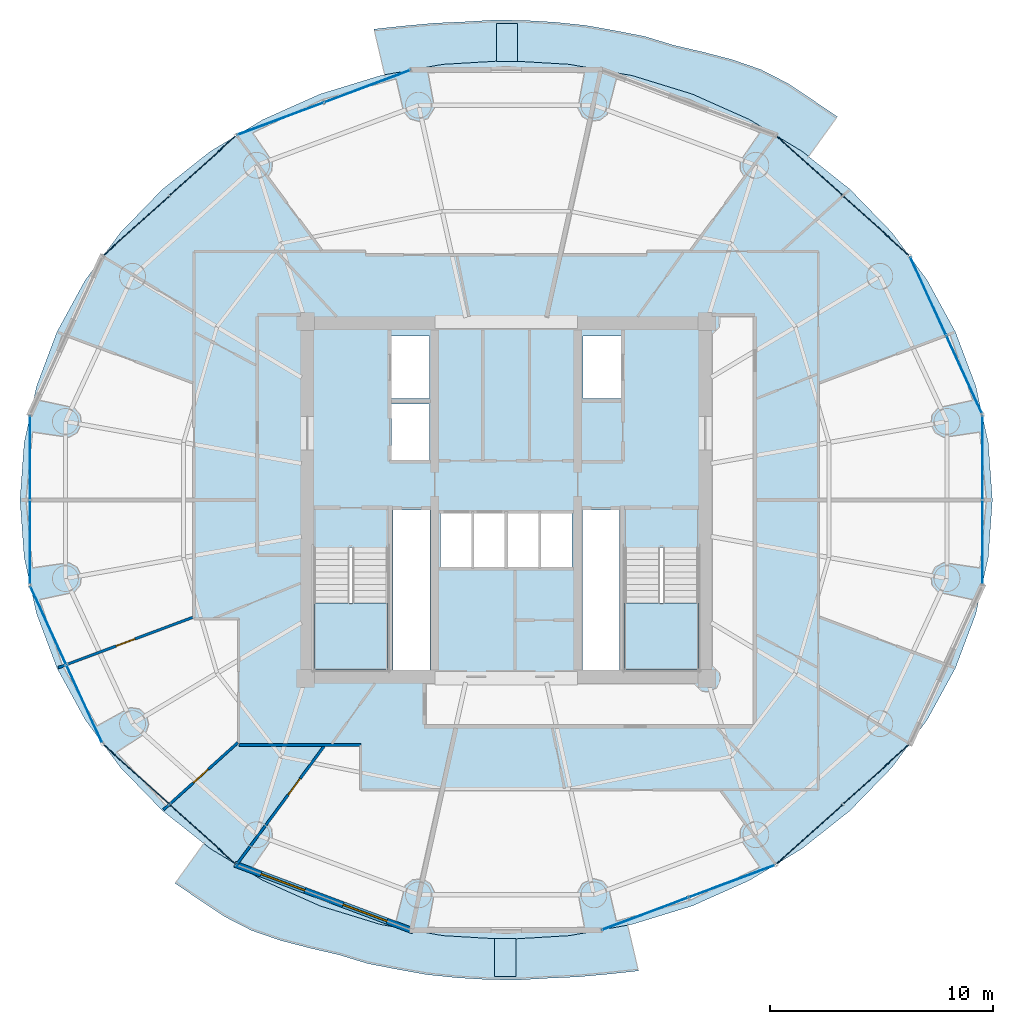
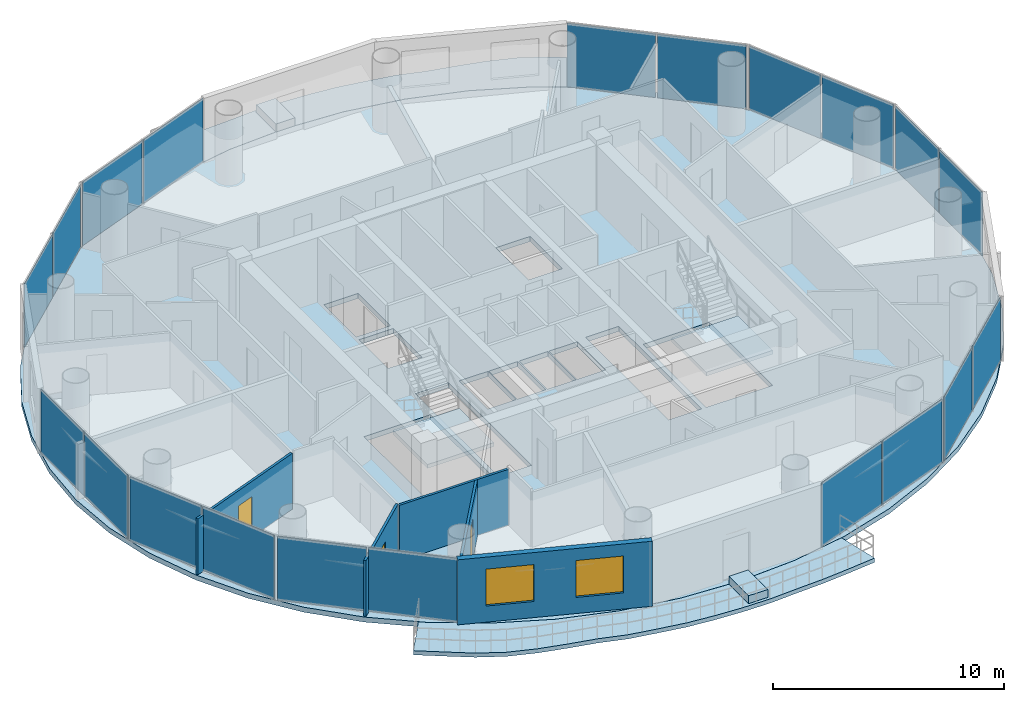
# One storey, part 19 of 26: 20 plates, 7 slabs, 5 walls, 3 doors, 2 windows, 5 openings, 12 elements without a shape of their own.
"""IFC4 building model written with IfcOpenShell, lengths in metres."""

from ifc_helpers import new_model, si_unit, direction, frame, frame_2d, origin, origin_2d, place, context, subcontext, project, spatial, polyline, rectangle, outline, extrude, source, transform, mapped, material, layer, layer_set, type_object, element, fill, aggregate, save


model = new_model("IFC4")

# Units and contexts
model_context = context("Model", 3, precision=1e-05, world=origin(), true_north=direction((-0.2419218956, 0.970295726276)))
body_context = subcontext(model_context, "Body", "Model", "MODEL_VIEW")
ifc_project = project(units=[si_unit("LENGTHUNIT", "METRE"), si_unit("AREAUNIT", "SQUARE_METRE"), si_unit("VOLUMEUNIT", "CUBIC_METRE"), si_unit("PLANEANGLEUNIT", "RADIAN"), si_unit("MASSUNIT", "GRAM", prefix="KILO")], contexts=[model_context])

# Site, building, storey
site_placement = place(None, origin())
site = spatial("IfcSite", under=ifc_project, at=site_placement, CompositionType="ELEMENT")
building_placement = place(site_placement, origin())
building = spatial("IfcBuilding", under=site, at=building_placement, Name="Cobrevalo Terracotta Tower", CompositionType="ELEMENT")
storey_placement = place(building_placement, frame((0.0, 0.0, 213.39990234375)))
storey = spatial("IfcBuildingStorey", under=building, at=storey_placement, Name="L56", CompositionType="ELEMENT", Elevation=213.39990234375)

# Stair, slab
ifc_material_1 = material(Name="Concrete C50", Category="concrete")
stair_type = type_object("IfcStairType", Name="Core protected escape dogleg stair 1600", PredefinedType="HALF_TURN_STAIR", material=ifc_material_1)
stair_1_placement = place(storey_placement, origin())
stair_1 = element("IfcStair", 1, at=stair_1_placement, inside=storey, type_object=stair_type, Name="L56 Protected exit stair ST-1", PredefinedType="HALF_TURN_STAIR")
ifc_layer_1 = layer(ifc_material_1, 0.199951171875)
ifc_layer_set_1 = layer_set([ifc_layer_1], Name="Concrete C50")
slab_type_1 = type_object("IfcSlabType", Name="Reinforced Concrete Stair Landing 200", PredefinedType="LANDING", material=ifc_layer_set_1)
slab_1_placement = place(storey_placement, frame((0.0, 0.0, 1.650146484375)))
slab_1 = element("IfcSlab", 2, at=slab_1_placement, type_object=slab_type_1, Name="ST-1 landing 1", PredefinedType="LANDING", context=body_context, shape_type="SweptSolid", body=[
    extrude(outline(polyline([(29.375, 22.179931640625), (29.375, 19.175048828125), (32.695068359375, 19.175048828125), (32.695068359375, 22.179931640625), (29.375, 22.179931640625)])), origin(), (0.0, 0.0, 1.0), 0.199951171875),
])
aggregate(stair_1, [slab_1])

stair_2_placement = place(storey_placement, origin())
stair_2 = element("IfcStair", 3, at=stair_2_placement, inside=storey, type_object=stair_type, Name="L56 Protected exit stair ST-2", PredefinedType="HALF_TURN_STAIR")
slab_2_placement = place(storey_placement, frame((0.0, 0.0, 1.650146484375)))
slab_2 = element("IfcSlab", 4, at=slab_2_placement, type_object=slab_type_1, Name="ST-2 landing 1", PredefinedType="LANDING", context=body_context, shape_type="SweptSolid", body=[
    extrude(outline(polyline([(43.304931640625, 22.179931640625), (43.304931640625, 19.175048828125), (46.625, 19.175048828125), (46.625, 22.179931640625), (43.304931640625, 22.179931640625)])), origin(), (0.0, 0.0, 1.0), 0.199951171875),
])
aggregate(stair_2, [slab_2])

# Slabs
ifc_material_2 = material(Name="Concrete C45", Category="concrete")
ifc_layer_2 = layer(ifc_material_2, 0.219970703125)
ifc_layer_set_2 = layer_set([ifc_layer_2], Name="Concrete C45")
slab_type_2 = type_object("IfcSlabType", Name="Spiralling cantilevered balcony lobe slab 220 mm", PredefinedType="FLOOR", material=ifc_layer_set_2)
slab_3_placement = place(storey_placement, frame((0.0, 0.0, -0.219970703125)))
element("IfcSlab", 5, at=slab_3_placement, inside=storey, type_object=slab_type_2, Name="L56 spiralling arc balcony slab lobe 1", PredefinedType="FLOOR", context=body_context, shape_type="SweptSolid", body=[
    extrude(outline(polyline([(52.85107421875, 43.98388671875), (51.7412109375, 44.7353515625), (50.618408203125, 45.484130859375), (49.416015625, 46.1015625), (48.128173828125, 46.546875), (46.814453125, 46.888427734375), (45.494873046875, 47.195556640625), (44.207275390625, 47.587646484375), (42.880615234375, 47.84521484375), (41.549072265625, 48.0830078125), (40.203369140625, 48.22216796875), (38.849609375, 48.30224609375), (37.495849609375, 48.322021484375), (36.14208984375, 48.2431640625), (34.785888671875, 48.1826171875), (33.431884765625, 48.059326171875), (32.06982421875, 47.913818359375), (32.54833984375, 45.864990234375), (35.154296875, 46.33349609375), (38.0, 46.501953125), (40.845703125, 46.33349609375), (43.642822265625, 45.83056640625), (46.34326171875, 45.002197265625), (48.90087890625, 43.862548828125), (51.272216796875, 42.4306640625), (51.56591796875, 42.19775390625), (52.85107421875, 43.98388671875)])), origin(), (0.0, 0.0, 1.0), 0.219970703125),
])
slab_4_placement = place(storey_placement, frame((0.0, 0.0, -0.219970703125)))
element("IfcSlab", 6, at=slab_4_placement, inside=storey, type_object=slab_type_2, Name="L56 spiralling arc balcony slab lobe 2", PredefinedType="FLOOR", context=body_context, shape_type="SweptSolid", body=[
    extrude(outline(polyline([(23.14892578125, 9.6162109375), (24.2587890625, 8.86474609375), (25.381591796875, 8.11572265625), (26.583984375, 7.49853515625), (27.871826171875, 7.05322265625), (29.185546875, 6.711669921875), (30.505126953125, 6.404541015625), (31.792724609375, 6.012451171875), (33.119384765625, 5.7548828125), (34.450927734375, 5.516845703125), (35.796630859375, 5.3779296875), (37.150390625, 5.297607421875), (38.504150390625, 5.278076171875), (39.85791015625, 5.35693359375), (41.214111328125, 5.417236328125), (42.568115234375, 5.540771484375), (43.93017578125, 5.68603515625), (43.45166015625, 7.735107421875), (40.845703125, 7.2666015625), (38.0, 7.097900390625), (35.154296875, 7.2666015625), (32.357177734375, 7.769287109375), (29.65673828125, 8.59765625), (27.09912109375, 9.737548828125), (24.727783203125, 11.16943359375), (24.43408203125, 11.402099609375), (23.14892578125, 9.6162109375)])), origin(), (0.0, 0.0, 1.0), 0.219970703125),
])
ifc_material_3 = material(Name="Precast concrete C45", Category="concrete")
ifc_layer_3 = layer(ifc_material_3, 0.419921875)
ifc_layer_set_3 = layer_set([ifc_layer_3], Name="Precast concrete C45")
slab_type_3 = type_object("IfcSlabType", Name="Structural tree planter trough base 420 mm", PredefinedType="USERDEFINED", material=ifc_layer_set_3)
slab_5_placement = place(storey_placement, origin())
element("IfcSlab", 7, at=slab_5_placement, inside=storey, type_object=slab_type_3, Name="L56 structural tree planter trough 1", ObjectType="PLANTER", PredefinedType="USERDEFINED", context=body_context, shape_type="SweptSolid", body=[
    extrude(outline(polyline([(38.5146484375, 46.46923828125), (38.51708984375, 48.169189453125), (37.55712890625, 48.170654296875), (37.5546875, 46.470703125), (38.5146484375, 46.46923828125)])), origin(), (0.0, 0.0, 1.0), 0.420166015625),
])
slab_6_placement = place(storey_placement, origin())
element("IfcSlab", 8, at=slab_6_placement, inside=storey, type_object=slab_type_3, Name="L56 structural tree planter trough 2", ObjectType="PLANTER", PredefinedType="USERDEFINED", context=body_context, shape_type="SweptSolid", body=[
    extrude(outline(polyline([(37.4853515625, 7.130615234375), (37.48291015625, 5.4306640625), (38.44287109375, 5.429443359375), (38.4453125, 7.12939453125), (37.4853515625, 7.130615234375)])), origin(), (0.0, 0.0, 1.0), 0.420166015625),
])
ifc_layer_4 = layer(ifc_material_2, 0.264892578125)
ifc_layer_set_4 = layer_set([ifc_layer_4], Name="Concrete C45")
slab_type_4 = type_object("IfcSlabType", Name="Zone Z4 elliptical floor plate 265 mm", PredefinedType="FLOOR", material=ifc_layer_set_4)
slab_7_placement = place(storey_placement, frame((0.0, 0.0, -0.264892578125)))
element("IfcSlab", 9, at=slab_7_placement, inside=storey, type_object=slab_type_4, Name="L56 indoor elliptical floor slab", PredefinedType="FLOOR", context=body_context, shape_type="SweptSolid", body=[
    extrude(outline(polyline([(59.613525390625, 24.228515625), (59.05712890625, 21.701171875), (58.140625, 19.26123046875), (56.87939453125, 16.949951171875), (55.295166015625, 14.807373046875), (53.4150390625, 12.8701171875), (51.27099609375, 11.1708984375), (48.89990234375, 9.7392578125), (46.342529296875, 8.599609375), (43.642333984375, 7.771240234375), (40.845458984375, 7.2685546875), (38.0, 7.10009765625), (35.154541015625, 7.2685546875), (32.357666015625, 7.771240234375), (29.657470703125, 8.599609375), (27.10009765625, 9.7392578125), (24.72900390625, 11.1708984375), (22.5849609375, 12.8701171875), (20.704833984375, 14.807373046875), (19.12060546875, 16.949951171875), (17.859375, 19.26123046875), (16.94287109375, 21.701171875), (16.386474609375, 24.228515625), (16.199951171875, 26.800048828125), (16.386474609375, 29.371337890625), (16.94287109375, 31.898681640625), (17.859375, 34.3388671875), (19.12060546875, 36.64990234375), (20.704833984375, 38.79248046875), (22.5849609375, 40.72998046875), (24.72900390625, 42.428955078125), (27.10009765625, 43.860595703125), (29.657470703125, 45.00048828125), (32.357666015625, 45.828857421875), (35.154541015625, 46.33154296875), (38.0, 46.5), (40.845458984375, 46.33154296875), (43.642333984375, 45.828857421875), (46.342529296875, 45.00048828125), (48.89990234375, 43.860595703125), (51.27099609375, 42.428955078125), (53.4150390625, 40.72998046875), (55.295166015625, 38.79248046875), (56.87939453125, 36.64990234375), (58.140625, 34.3388671875), (59.05712890625, 31.898681640625), (59.613525390625, 29.371337890625), (59.800048828125, 26.800048828125), (59.613525390625, 24.228515625)]), holes=[polyline([(32.695068359375, 19.175048828125), (32.695068359375, 24.659912109375), (29.375, 24.659912109375), (29.375, 19.175048828125), (32.695068359375, 19.175048828125)]), polyline([(34.574951171875, 26.360107421875), (32.919921875, 26.360107421875), (32.919921875, 19.175048828125), (34.574951171875, 19.175048828125), (34.574951171875, 26.360107421875)]), polyline([(36.47998046875, 26.25), (35.050048828125, 26.25), (35.050048828125, 23.800048828125), (36.47998046875, 23.800048828125), (36.47998046875, 26.25)]), polyline([(37.9599609375, 23.800048828125), (37.9599609375, 26.25), (36.530029296875, 26.25), (36.530029296875, 23.800048828125), (37.9599609375, 23.800048828125)]), polyline([(34.550048828125, 28.60009765625), (34.550048828125, 31.10009765625), (32.85009765625, 31.10009765625), (32.85009765625, 28.60009765625), (34.550048828125, 28.60009765625)]), polyline([(34.550048828125, 34.14990234375), (32.85009765625, 34.14990234375), (32.85009765625, 31.35009765625), (34.550048828125, 31.35009765625), (34.550048828125, 34.14990234375)]), polyline([(43.304931640625, 19.175048828125), (46.625, 19.175048828125), (46.625, 24.659912109375), (43.304931640625, 24.659912109375), (43.304931640625, 19.175048828125)]), polyline([(43.080078125, 19.175048828125), (43.080078125, 26.360107421875), (41.425048828125, 26.360107421875), (41.425048828125, 19.175048828125), (43.080078125, 19.175048828125)]), polyline([(39.469970703125, 26.25), (38.0400390625, 26.25), (38.0400390625, 23.800048828125), (39.469970703125, 23.800048828125), (39.469970703125, 26.25)]), polyline([(40.949951171875, 23.800048828125), (40.949951171875, 26.25), (39.52001953125, 26.25), (39.52001953125, 23.800048828125), (40.949951171875, 23.800048828125)]), polyline([(43.14990234375, 31.35009765625), (43.14990234375, 34.14990234375), (41.449951171875, 34.14990234375), (41.449951171875, 31.35009765625), (43.14990234375, 31.35009765625)])]), origin(), (0.0, 0.0, 1.0), 0.264892578125),
])

# Curtain wall, plates
ifc_material_4 = material(Name="Anodized aluminium", Category="aluminium")
curtain_wall_type = type_object("IfcCurtainWallType", Name="Mid-tower high-wind unitised curtain wall CW-U2", PredefinedType="NOTDEFINED", material=ifc_material_4)
curtain_wall_1_placement = place(storey_placement, origin())
curtain_wall_1 = element("IfcCurtainWall", 10, at=curtain_wall_1_placement, inside=storey, type_object=curtain_wall_type, Name="L56 curtain wall CW-L56-S02", PredefinedType="NOTDEFINED")
ifc_material_5 = material(Name="Solar-control low-E double glazing", Category="glass")
ifc_layer_5 = layer(ifc_material_5, 0.028076171875)
ifc_layer_set_5 = layer_set([ifc_layer_5], Name="Solar-control low-E double glazing")
plate_type = type_object("IfcPlateType", Name="Tower solar-control low-E vision glass panel 28 mm", PredefinedType="CURTAIN_PANEL", material=ifc_layer_set_5)
shared_shape_1 = source(origin(), body_context, "Body", "SweptSolid", [
    extrude(rectangle(XDim=3.927490234375, YDim=0.035888671875, at=origin_2d()), origin(), (0.0, 0.0, 1.0), 3.35498046875),
])
plate_1_placement = place(storey_placement, frame((54.584716796875, 39.09814453125, 0.0400390625), z_axis=(0.0, 0.0, 1.0), x_axis=(-0.741987542015, 0.670413668935, 0.0)))
plate_1 = element("IfcPlate", 11, at=plate_1_placement, type_object=plate_type, Name="CW-L56-S02 glazing panel B01", PredefinedType="CURTAIN_PANEL", context=body_context, shape_type="MappedRepresentation", body=[
    mapped(shared_shape_1, transform((0.0, 0.0, 0.0), scale=1.0)),
])
plate_2_placement = place(storey_placement, frame((51.611083984375, 41.784912109375, 0.0400390625), z_axis=(0.0, 0.0, 1.0), x_axis=(-0.741987542015, 0.670413668935, 0.0)))
plate_2 = element("IfcPlate", 12, at=plate_2_placement, type_object=plate_type, Name="CW-L56-S02 glazing panel B02", PredefinedType="CURTAIN_PANEL", context=body_context, shape_type="MappedRepresentation", body=[
    mapped(shared_shape_1, transform((0.0, 0.0, 0.0), scale=1.0)),
])
aggregate(curtain_wall_1, [plate_1, plate_2])

curtain_wall_2_placement = place(storey_placement, origin())
curtain_wall_2 = element("IfcCurtainWall", 13, at=curtain_wall_2_placement, inside=storey, type_object=curtain_wall_type, Name="L56 curtain wall CW-L56-S06", PredefinedType="NOTDEFINED")
plate_3_placement = place(storey_placement, frame((24.388916015625, 41.784912109375, 0.0400390625), z_axis=(0.0, 0.0, 1.0), x_axis=(-0.741987542015, -0.670413668935, 0.0)))
plate_3 = element("IfcPlate", 14, at=plate_3_placement, type_object=plate_type, Name="CW-L56-S06 glazing panel B01", PredefinedType="CURTAIN_PANEL", context=body_context, shape_type="MappedRepresentation", body=[
    mapped(shared_shape_1, transform((0.0, 0.0, 0.0), scale=1.0)),
])
plate_4_placement = place(storey_placement, frame((21.415283203125, 39.09814453125, 0.0400390625), z_axis=(0.0, 0.0, 1.0), x_axis=(-0.741987542015, -0.670413668935, 0.0)))
plate_4 = element("IfcPlate", 15, at=plate_4_placement, type_object=plate_type, Name="CW-L56-S06 glazing panel B02", PredefinedType="CURTAIN_PANEL", context=body_context, shape_type="MappedRepresentation", body=[
    mapped(shared_shape_1, transform((0.0, 0.0, 0.0), scale=1.0)),
])
aggregate(curtain_wall_2, [plate_3, plate_4])

curtain_wall_3_placement = place(storey_placement, origin())
curtain_wall_3 = element("IfcCurtainWall", 16, at=curtain_wall_3_placement, inside=storey, type_object=curtain_wall_type, Name="L56 curtain wall CW-L56-S10", PredefinedType="NOTDEFINED")
plate_5_placement = place(storey_placement, frame((21.415283203125, 14.501708984375, 0.0400390625), z_axis=(0.0, 0.0, 1.0), x_axis=(0.741987542015, -0.670413668935, 0.0)))
plate_5 = element("IfcPlate", 17, at=plate_5_placement, type_object=plate_type, Name="CW-L56-S10 glazing panel B01", PredefinedType="CURTAIN_PANEL", context=body_context, shape_type="MappedRepresentation", body=[
    mapped(shared_shape_1, transform((0.0, 0.0, 0.0), scale=1.0)),
])
plate_6_placement = place(storey_placement, frame((24.388916015625, 11.815185546875, 0.0400390625), z_axis=(0.0, 0.0, 1.0), x_axis=(0.741987542015, -0.670413668935, 0.0)))
plate_6 = element("IfcPlate", 18, at=plate_6_placement, type_object=plate_type, Name="CW-L56-S10 glazing panel B02", PredefinedType="CURTAIN_PANEL", context=body_context, shape_type="MappedRepresentation", body=[
    mapped(shared_shape_1, transform((0.0, 0.0, 0.0), scale=1.0)),
])
aggregate(curtain_wall_3, [plate_5, plate_6])

curtain_wall_4_placement = place(storey_placement, origin())
curtain_wall_4 = element("IfcCurtainWall", 19, at=curtain_wall_4_placement, inside=storey, type_object=curtain_wall_type, Name="L56 curtain wall CW-L56-S14", PredefinedType="NOTDEFINED")
plate_7_placement = place(storey_placement, frame((51.611083984375, 11.815185546875, 0.0400390625), z_axis=(0.0, 0.0, 1.0), x_axis=(0.741987542015, 0.670413668935, 0.0)))
plate_7 = element("IfcPlate", 20, at=plate_7_placement, type_object=plate_type, Name="CW-L56-S14 glazing panel B01", PredefinedType="CURTAIN_PANEL", context=body_context, shape_type="MappedRepresentation", body=[
    mapped(shared_shape_1, transform((0.0, 0.0, 0.0), scale=1.0)),
])
plate_8_placement = place(storey_placement, frame((54.584716796875, 14.501708984375, 0.0400390625), z_axis=(0.0, 0.0, 1.0), x_axis=(0.741987542015, 0.670413668935, 0.0)))
plate_8 = element("IfcPlate", 21, at=plate_8_placement, type_object=plate_type, Name="CW-L56-S14 glazing panel B02", PredefinedType="CURTAIN_PANEL", context=body_context, shape_type="MappedRepresentation", body=[
    mapped(shared_shape_1, transform((0.0, 0.0, 0.0), scale=1.0)),
])
aggregate(curtain_wall_4, [plate_7, plate_8])

curtain_wall_5_placement = place(storey_placement, origin())
curtain_wall_5 = element("IfcCurtainWall", 22, at=curtain_wall_5_placement, inside=storey, type_object=curtain_wall_type, Name="L56 curtain wall CW-L56-S01", PredefinedType="NOTDEFINED")
shared_shape_2 = source(origin(), body_context, "Body", "SweptSolid", [
    extrude(rectangle(XDim=3.780029296875, YDim=0.035888671875, at=origin_2d()), origin(), (0.0, 0.0, 1.0), 3.35498046875),
])
plate_9_placement = place(storey_placement, frame((58.53076171875, 32.42822265625, 0.0400390625), z_axis=(0.0, 0.0, 1.0), x_axis=(-0.416731425355, 0.909029657999, 0.0)))
plate_9 = element("IfcPlate", 23, at=plate_9_placement, type_object=plate_type, Name="CW-L56-S01 glazing panel B01", PredefinedType="CURTAIN_PANEL", context=body_context, shape_type="MappedRepresentation", body=[
    mapped(shared_shape_2, transform((0.0, 0.0, 0.0), scale=1.0)),
])
plate_10_placement = place(storey_placement, frame((56.922119140625, 35.937255859375, 0.0400390625), z_axis=(0.0, 0.0, 1.0), x_axis=(-0.416731425355, 0.909029657999, 0.0)))
plate_10 = element("IfcPlate", 24, at=plate_10_placement, type_object=plate_type, Name="CW-L56-S01 glazing panel B02", PredefinedType="CURTAIN_PANEL", context=body_context, shape_type="MappedRepresentation", body=[
    mapped(shared_shape_2, transform((0.0, 0.0, 0.0), scale=1.0)),
])
aggregate(curtain_wall_5, [plate_9, plate_10])

curtain_wall_6_placement = place(storey_placement, origin())
curtain_wall_6 = element("IfcCurtainWall", 25, at=curtain_wall_6_placement, inside=storey, type_object=curtain_wall_type, Name="L56 curtain wall CW-L56-S09", PredefinedType="NOTDEFINED")
plate_11_placement = place(storey_placement, frame((17.46923828125, 21.171630859375, 0.0400390625), z_axis=(0.0, 0.0, 1.0), x_axis=(0.416731425355, -0.909029657999, 0.0)))
plate_11 = element("IfcPlate", 26, at=plate_11_placement, type_object=plate_type, Name="CW-L56-S09 glazing panel B01", PredefinedType="CURTAIN_PANEL", context=body_context, shape_type="MappedRepresentation", body=[
    mapped(shared_shape_2, transform((0.0, 0.0, 0.0), scale=1.0)),
])
plate_12_placement = place(storey_placement, frame((19.077880859375, 17.662841796875, 0.0400390625), z_axis=(0.0, 0.0, 1.0), x_axis=(0.416731425355, -0.909029657999, 0.0)))
plate_12 = element("IfcPlate", 27, at=plate_12_placement, type_object=plate_type, Name="CW-L56-S09 glazing panel B02", PredefinedType="CURTAIN_PANEL", context=body_context, shape_type="MappedRepresentation", body=[
    mapped(shared_shape_2, transform((0.0, 0.0, 0.0), scale=1.0)),
])
aggregate(curtain_wall_6, [plate_11, plate_12])

curtain_wall_7_placement = place(storey_placement, origin())
curtain_wall_7 = element("IfcCurtainWall", 28, at=curtain_wall_7_placement, inside=storey, type_object=curtain_wall_type, Name="L56 curtain wall CW-L56-S08", PredefinedType="NOTDEFINED")
shared_shape_3 = source(origin(), body_context, "Body", "SweptSolid", [
    extrude(rectangle(XDim=3.71728515625, YDim=0.035888671875, at=origin_2d()), origin(), (0.0, 0.0, 1.0), 3.35498046875),
])
plate_13_placement = place(storey_placement, frame((16.648193359375, 28.69873046875, 0.0400390625), z_axis=(0.0, 0.0, 1.0), x_axis=(0.0, -1.0, 0.0)))
plate_13 = element("IfcPlate", 29, at=plate_13_placement, type_object=plate_type, Name="CW-L56-S08 glazing panel B01", PredefinedType="CURTAIN_PANEL", context=body_context, shape_type="MappedRepresentation", body=[
    mapped(shared_shape_3, transform((0.0, 0.0, 0.0), scale=1.0)),
])
plate_14_placement = place(storey_placement, frame((16.648193359375, 24.9013671875, 0.0400390625), z_axis=(0.0, 0.0, 1.0), x_axis=(0.0, -1.0, 0.0)))
plate_14 = element("IfcPlate", 30, at=plate_14_placement, type_object=plate_type, Name="CW-L56-S08 glazing panel B02", PredefinedType="CURTAIN_PANEL", context=body_context, shape_type="MappedRepresentation", body=[
    mapped(shared_shape_3, transform((0.0, 0.0, 0.0), scale=1.0)),
])
aggregate(curtain_wall_7, [plate_13, plate_14])

curtain_wall_8_placement = place(storey_placement, origin())
curtain_wall_8 = element("IfcCurtainWall", 31, at=curtain_wall_8_placement, inside=storey, type_object=curtain_wall_type, Name="L56 curtain wall CW-L56-S16", PredefinedType="NOTDEFINED")
plate_15_placement = place(storey_placement, frame((59.351806640625, 24.9013671875, 0.0400390625), z_axis=(0.0, 0.0, 1.0), x_axis=(0.0, 1.0, 0.0)))
plate_15 = element("IfcPlate", 32, at=plate_15_placement, type_object=plate_type, Name="CW-L56-S16 glazing panel B01", PredefinedType="CURTAIN_PANEL", context=body_context, shape_type="MappedRepresentation", body=[
    mapped(shared_shape_3, transform((0.0, 0.0, 0.0), scale=1.0)),
])
plate_16_placement = place(storey_placement, frame((59.351806640625, 28.69873046875, 0.0400390625), z_axis=(0.0, 0.0, 1.0), x_axis=(0.0, 1.0, 0.0)))
plate_16 = element("IfcPlate", 33, at=plate_16_placement, type_object=plate_type, Name="CW-L56-S16 glazing panel B02", PredefinedType="CURTAIN_PANEL", context=body_context, shape_type="MappedRepresentation", body=[
    mapped(shared_shape_3, transform((0.0, 0.0, 0.0), scale=1.0)),
])
aggregate(curtain_wall_8, [plate_15, plate_16])

curtain_wall_9_placement = place(storey_placement, origin())
curtain_wall_9 = element("IfcCurtainWall", 34, at=curtain_wall_9_placement, inside=storey, type_object=curtain_wall_type, Name="L56 curtain wall CW-L56-S05", PredefinedType="NOTDEFINED")
shared_shape_4 = source(origin(), body_context, "Body", "SweptSolid", [
    extrude(rectangle(XDim=4.069580078125, YDim=0.035888671875, at=origin_2d()), origin(), (0.0, 0.0, 1.0), 3.35498046875),
])
plate_17_placement = place(storey_placement, frame((31.772216796875, 45.350830078125, 0.0400390625), z_axis=(0.0, 0.0, 1.0), x_axis=(-0.936557839879, -0.350513070458, 0.0)))
plate_17 = element("IfcPlate", 35, at=plate_17_placement, type_object=plate_type, Name="CW-L56-S05 glazing panel B01", PredefinedType="CURTAIN_PANEL", context=body_context, shape_type="MappedRepresentation", body=[
    mapped(shared_shape_4, transform((0.0, 0.0, 0.0), scale=1.0)),
])
plate_18_placement = place(storey_placement, frame((27.885986328125, 43.896240234375, 0.0400390625), z_axis=(0.0, 0.0, 1.0), x_axis=(-0.936557839879, -0.350513070458, 0.0)))
plate_18 = element("IfcPlate", 36, at=plate_18_placement, type_object=plate_type, Name="CW-L56-S05 glazing panel B02", PredefinedType="CURTAIN_PANEL", context=body_context, shape_type="MappedRepresentation", body=[
    mapped(shared_shape_4, transform((0.0, 0.0, 0.0), scale=1.0)),
])
aggregate(curtain_wall_9, [plate_17, plate_18])

curtain_wall_10_placement = place(storey_placement, origin())
curtain_wall_10 = element("IfcCurtainWall", 37, at=curtain_wall_10_placement, inside=storey, type_object=curtain_wall_type, Name="L56 curtain wall CW-L56-S13", PredefinedType="NOTDEFINED")
plate_19_placement = place(storey_placement, frame((44.227783203125, 8.249267578125, 0.0400390625), z_axis=(0.0, 0.0, 1.0), x_axis=(0.936557839879, 0.350513070458, 0.0)))
plate_19 = element("IfcPlate", 38, at=plate_19_placement, type_object=plate_type, Name="CW-L56-S13 glazing panel B01", PredefinedType="CURTAIN_PANEL", context=body_context, shape_type="MappedRepresentation", body=[
    mapped(shared_shape_4, transform((0.0, 0.0, 0.0), scale=1.0)),
])
plate_20_placement = place(storey_placement, frame((48.114013671875, 9.70361328125, 0.0400390625), z_axis=(0.0, 0.0, 1.0), x_axis=(0.936557839879, 0.350513070458, 0.0)))
plate_20 = element("IfcPlate", 39, at=plate_20_placement, type_object=plate_type, Name="CW-L56-S13 glazing panel B02", PredefinedType="CURTAIN_PANEL", context=body_context, shape_type="MappedRepresentation", body=[
    mapped(shared_shape_4, transform((0.0, 0.0, 0.0), scale=1.0)),
])
aggregate(curtain_wall_10, [plate_19, plate_20])

# Wall, openings, windows
ifc_material_6 = material(Name="Autoclaved aerated concrete block", Category="concrete")
ifc_layer_6 = layer(ifc_material_6, 0.280029296875)
ifc_layer_set_6 = layer_set([ifc_layer_6], Name="Autoclaved aerated concrete block")
wall_type_1 = type_object("IfcWallType", Name="Insulated tower spandrel & pier wall 280 mm with terracotta rainscreen", PredefinedType="SOLIDWALL", material=ifc_layer_set_6)
wall_1_placement = place(storey_placement, frame((25.830322265625, 10.47314453125, 0.0), z_axis=(0.0, 0.0, 1.0), x_axis=(0.936556918375, -0.350515532672, 0.0)))
wall_1 = element("IfcWall", 40, at=wall_1_placement, inside=storey, type_object=wall_type_1, Name="L56 terracotta rainscreen pier wall S11", PredefinedType="SOLIDWALL", context=body_context, shape_type="SweptSolid", body=[
    extrude(rectangle(XDim=8.539306640625, YDim=0.280029296875, at=frame_2d((4.26953125, 0.0))), origin(), (0.0, 0.0, 1.0), 3.43505859375),
])
opening_1_placement = place(wall_1_placement, frame((1.255615234375, 0.0, 0.85009765625)))
opening_1 = element("IfcOpeningElement", 41, at=opening_1_placement, cuts=wall_1, Name="Opening WN-10", PredefinedType="OPENING", context=body_context, shape_type="SweptSolid", body=[
    extrude(rectangle(XDim=2.10009765625, YDim=1.949951171875, at=frame_2d((1.050048828125, 0.97509765625))), frame((0.0, 0.14990234375, 0.0), z_axis=(0.0, -1.0, 0.0), x_axis=(1.0, 0.0, 0.0)), (0.0, 0.0, 1.0), 0.300048828125),
])
opening_2_placement = place(wall_1_placement, frame((5.18359375, 0.0, 0.85009765625)))
opening_2 = element("IfcOpeningElement", 42, at=opening_2_placement, cuts=wall_1, Name="Opening WN-10", PredefinedType="OPENING", context=body_context, shape_type="SweptSolid", body=[
    extrude(rectangle(XDim=2.10009765625, YDim=1.949951171875, at=frame_2d((1.050048828125, 0.97509765625))), frame((0.0, 0.14990234375, 0.0), z_axis=(0.0, -1.0, 0.0), x_axis=(1.0, 0.0, 0.0)), (0.0, 0.0, 1.0), 0.300048828125),
])
window_type = type_object("IfcWindowType", Name="Wide panoramic low-E aluminium window 2100x1950", PartitioningType="SINGLE_PANEL", PredefinedType="WINDOW", material=ifc_material_5)
shared_shape_5 = source(origin(), body_context, "Body", "SweptSolid", [
    extrude(rectangle(XDim=2.10009765625, YDim=1.949951171875, at=frame_2d((1.050048828125, 0.97509765625))), frame((0.0, 0.030029296875, 0.0), z_axis=(0.0, -1.0, 0.0), x_axis=(1.0, 0.0, 0.0)), (0.0, 0.0, 1.0), 0.06005859375),
])
window_1_placement = place(opening_1_placement, origin())
window_1 = element("IfcWindow", 43, at=window_1_placement, inside=storey, type_object=window_type, Name="L56 suite window S11A", OverallHeight=1.949951171875, OverallWidth=2.10009765625, PartitioningType="SINGLE_PANEL", PredefinedType="WINDOW", context=body_context, shape_type="MappedRepresentation", body=[
    mapped(shared_shape_5, transform((0.0, 0.0, 0.0), scale=1.0)),
])
fill(opening_1, window_1)
window_2_placement = place(opening_2_placement, origin())
window_2 = element("IfcWindow", 44, at=window_2_placement, inside=storey, type_object=window_type, Name="L56 suite window S11B", OverallHeight=1.949951171875, OverallWidth=2.10009765625, PartitioningType="SINGLE_PANEL", PredefinedType="WINDOW", context=body_context, shape_type="MappedRepresentation", body=[
    mapped(shared_shape_5, transform((0.0, 0.0, 0.0), scale=1.0)),
])
fill(opening_2, window_2)

# Wall
ifc_material_7 = material(Name="Gypsum board on steel stud", Category="steel")
ifc_layer_7 = layer(ifc_material_7, 0.1201171875)
ifc_layer_set_7 = layer_set([ifc_layer_7], Name="Gypsum board on steel stud")
wall_type_2 = type_object("IfcWallType", Name="Residential internal acoustic stud partition 120 mm", PredefinedType="PARTITIONING", material=ifc_layer_set_7)
wall_2_placement = place(storey_placement, frame((31.47998046875, 15.81494140625, 0.0), z_axis=(0.0, 0.0, 1.0), x_axis=(-1.0, 0.0, 0.0)))
element("IfcWall", 45, at=wall_2_placement, inside=storey, type_object=wall_type_2, Name="L56 interior partition IW-L56-U3-RING2_0", PredefinedType="PARTITIONING", context=body_context, shape_type="SweptSolid", body=[
    extrude(rectangle(XDim=5.465087890625, YDim=0.1201171875, at=frame_2d((2.732421875, 0.0))), origin(), (0.0, 0.0, 1.0), 2.951171875),
])

# Wall, opening, door
wall_3_placement = place(storey_placement, frame((23.947021484375, 21.539794921875, 0.0), z_axis=(0.0, 0.0, 1.0), x_axis=(-0.936534700322, -0.350574892274, 0.0)))
wall_3 = element("IfcWall", 46, at=wall_3_placement, inside=storey, type_object=wall_type_2, Name="L56 interior partition IW-L56-U3-ORAD1", PredefinedType="PARTITIONING", context=body_context, shape_type="SweptSolid", body=[
    extrude(rectangle(XDim=6.43896484375, YDim=0.1201171875, at=frame_2d((3.219482421875, 0.0))), origin(), (0.0, 0.0, 1.0), 2.951171875),
])
opening_3_placement = place(wall_3_placement, frame((2.769287109375, 0.0, 0.0)))
opening_3 = element("IfcOpeningElement", 47, at=opening_3_placement, cuts=wall_3, Name="Opening ID-12", PredefinedType="OPENING", context=body_context, shape_type="SweptSolid", body=[
    extrude(rectangle(XDim=0.89990234375, YDim=2.14990234375, at=frame_2d((0.449951171875, 1.074951171875))), frame((0.0, 0.070068359375, 0.0), z_axis=(0.0, -1.0, 0.0), x_axis=(1.0, 0.0, 0.0)), (0.0, 0.0, 1.0), 0.14013671875),
])
ifc_material_8 = material(Name="Engineered timber", Category="wood")
door_type = type_object("IfcDoorType", Name="Internal residence & suite timber door 900x2150", OperationType="NOTDEFINED", PredefinedType="DOOR", material=ifc_material_8)
shared_shape_6 = source(origin(), body_context, "Body", "SweptSolid", [
    extrude(rectangle(XDim=0.89990234375, YDim=2.14990234375, at=frame_2d((0.449951171875, 1.074951171875))), frame((0.0, 0.02490234375, 0.0), z_axis=(0.0, -1.0, 0.0), x_axis=(1.0, 0.0, 0.0)), (0.0, 0.0, 1.0), 0.050048828125),
])
door_1_placement = place(opening_3_placement, frame((0.89990234375, 0.0, 0.0), z_axis=(0.0, 0.0, 1.0), x_axis=(-1.0, 0.0, 0.0)))
door_1 = element("IfcDoor", 48, at=door_1_placement, inside=storey, type_object=door_type, Name="Flat L56C Living and Dining Room internal door", OperationType="SINGLE_SWING_LEFT", OverallHeight=2.14990234375, OverallWidth=0.89990234375, PredefinedType="DOOR", context=body_context, shape_type="MappedRepresentation", body=[
    mapped(shared_shape_6, transform((0.0, 0.0, 0.0), scale=1.0)),
])
fill(opening_3, door_1)

wall_4_placement = place(storey_placement, frame((25.968994140625, 15.927978515625, 0.0), z_axis=(0.0, 0.0, 1.0), x_axis=(-0.741935446671, -0.670471321514, 0.0)))
wall_4 = element("IfcWall", 49, at=wall_4_placement, inside=storey, type_object=wall_type_2, Name="L56 interior partition IW-L56-U3-ORAD2", PredefinedType="PARTITIONING", context=body_context, shape_type="SweptSolid", body=[
    extrude(rectangle(XDim=4.499267578125, YDim=0.1201171875, at=frame_2d((2.24951171875, 0.0))), origin(), (0.0, 0.0, 1.0), 2.951171875),
])
opening_4_placement = place(wall_4_placement, frame((1.799560546875, 0.0, 0.0)))
opening_4 = element("IfcOpeningElement", 50, at=opening_4_placement, cuts=wall_4, Name="Opening ID-12", PredefinedType="OPENING", context=body_context, shape_type="SweptSolid", body=[
    extrude(rectangle(XDim=0.89990234375, YDim=2.14990234375, at=frame_2d((0.449951171875, 1.074951171875))), frame((0.0, 0.070068359375, 0.0), z_axis=(0.0, -1.0, 0.0), x_axis=(1.0, 0.0, 0.0)), (0.0, 0.0, 1.0), 0.14013671875),
])
door_2_placement = place(opening_4_placement, origin())
door_2 = element("IfcDoor", 51, at=door_2_placement, inside=storey, type_object=door_type, Name="Flat L56C Principal Guest Bedroom internal door", OperationType="SINGLE_SWING_RIGHT", OverallHeight=2.14990234375, OverallWidth=0.89990234375, PredefinedType="DOOR", context=body_context, shape_type="MappedRepresentation", body=[
    mapped(shared_shape_6, transform((0.0, 0.0, 0.0), scale=1.0)),
])
fill(opening_4, door_2)

wall_5_placement = place(storey_placement, frame((29.8408203125, 15.76513671875, 0.0), z_axis=(0.0, 0.0, 1.0), x_axis=(-0.594535821787, -0.804069124275, 0.0)))
wall_5 = element("IfcWall", 52, at=wall_5_placement, inside=storey, type_object=wall_type_2, Name="L56 interior partition IW-L56-U3-ORAD3", PredefinedType="PARTITIONING", context=body_context, shape_type="SweptSolid", body=[
    extrude(rectangle(XDim=6.54345703125, YDim=0.1201171875, at=frame_2d((3.271728515625, 0.0))), origin(), (0.0, 0.0, 1.0), 2.951171875),
])
opening_5_placement = place(wall_5_placement, frame((1.814208984375, 0.0, 0.0)))
opening_5 = element("IfcOpeningElement", 53, at=opening_5_placement, cuts=wall_5, Name="Opening ID-12", PredefinedType="OPENING", context=body_context, shape_type="SweptSolid", body=[
    extrude(rectangle(XDim=0.89990234375, YDim=2.14990234375, at=frame_2d((0.449951171875, 1.074951171875))), frame((0.0, 0.070068359375, 0.0), z_axis=(0.0, -1.0, 0.0), x_axis=(1.0, 0.0, 0.0)), (0.0, 0.0, 1.0), 0.14013671875),
])
door_3_placement = place(opening_5_placement, origin())
door_3 = element("IfcDoor", 54, at=door_3_placement, inside=storey, type_object=door_type, Name="Flat L56C Principal Guest Bedroom internal door", OperationType="SINGLE_SWING_LEFT", OverallHeight=2.14990234375, OverallWidth=0.89990234375, PredefinedType="DOOR", context=body_context, shape_type="MappedRepresentation", body=[
    mapped(shared_shape_6, transform((0.0, 0.0, 0.0), scale=1.0)),
])
fill(opening_5, door_3)

save(model, "model.ifc")
